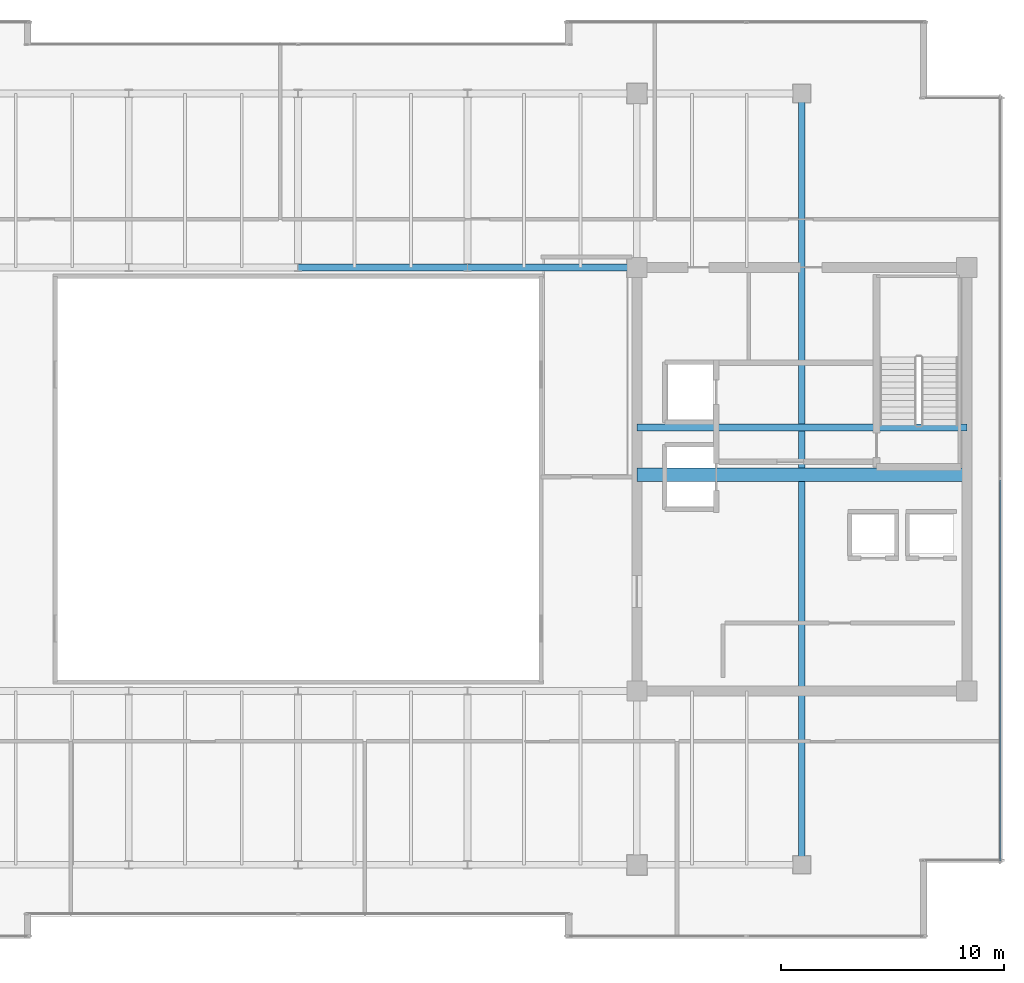
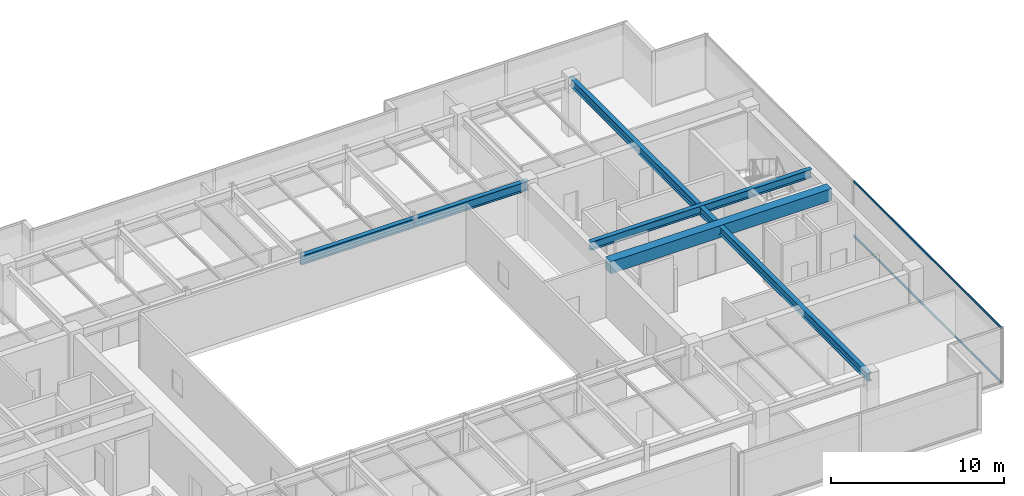
# One storey, part 16 of 34: 5 beams, 2 members, 1 element without a shape of its own.
"""IFC4 building model written with IfcOpenShell, lengths in metres."""

from ifc_helpers import new_model, si_unit, direction, frame, origin, origin_2d, place, context, subcontext, project, spatial, rectangle, hollow_rectangle, i_section, extrude, source, transform, mapped, material, layer, layer_set, material_profile, profile_set, type_object, type_shapes, element, aggregate, save


model = new_model("IFC4")

# Units and contexts
model_context = context("Model", 3, precision=1e-05, world=origin(), true_north=direction((0.0, 1.0)))
body_context = subcontext(model_context, "Body", "Model", "MODEL_VIEW")
ifc_project = project(units=[si_unit("LENGTHUNIT", "METRE"), si_unit("AREAUNIT", "SQUARE_METRE"), si_unit("VOLUMEUNIT", "CUBIC_METRE"), si_unit("PLANEANGLEUNIT", "RADIAN"), si_unit("MASSUNIT", "GRAM", prefix="KILO")], contexts=[model_context])

# Site, building, storey
site_placement = place(None, origin())
site = spatial("IfcSite", under=ifc_project, at=site_placement, CompositionType="ELEMENT")
building_placement = place(site_placement, origin())
building = spatial("IfcBuilding", under=site, at=building_placement, Name="Haelvirn Gate Laboratories", CompositionType="ELEMENT")
storey_placement = place(building_placement, frame((0.0, 0.0, 322.800048828125)))
storey = spatial("IfcBuildingStorey", under=building, at=storey_placement, Name="L77", CompositionType="ELEMENT", Elevation=322.800048828125)

# Beams
ifc_material_1 = material(Name="Steel SM355", Category="steel")
ifc_material_profile_1 = material_profile(ifc_material_1, i_section(OverallWidth=0.300048828125, OverallDepth=0.587890625, WebThickness=0.011962890625, FlangeThickness=0.02001953125, at=origin_2d()), Name="H-588x300x12x20")
ifc_profile_set_1 = profile_set([ifc_material_profile_1], Name="Steel SM355")
beam_type_1 = type_object("IfcBeamType", Name="BM-G-588", PredefinedType="BEAM", material=ifc_profile_set_1)
shared_shape_1 = source(origin(), body_context, "Body", "SweptSolid", [
    extrude(i_section(OverallWidth=0.300048828125, OverallDepth=0.587890625, WebThickness=0.011962890625, FlangeThickness=0.02001953125, at=origin_2d()), origin(), (0.0, 0.0, 1.0), 14.7998046875),
])
beam_1_placement = place(storey_placement, frame((52.60009765625, 26.6201171875, 3.6259765625), z_axis=(1.0, 0.0, 0.0), x_axis=(0.0, 1.0, 0.0)))
element("IfcBeam", 1, at=beam_1_placement, inside=storey, type_object=beam_type_1, Name="L77 Stair ST2 Landing Header", PredefinedType="BEAM", context=body_context, shape_type="MappedRepresentation", body=[
    mapped(shared_shape_1, transform((0.0, 0.0, 0.0), scale=1.0)),
])
shared_shape_2 = source(origin(), body_context, "Body", "SweptSolid", [
    extrude(i_section(OverallWidth=0.300048828125, OverallDepth=0.587890625, WebThickness=0.011962890625, FlangeThickness=0.02001953125, at=origin_2d()), origin(), (0.0, 0.0, 1.0), 34.60009765625),
])
type_shapes(beam_type_1, [shared_shape_1, shared_shape_2])
beam_2_placement = place(storey_placement, frame((60.0, 7.0, 3.6259765625), z_axis=(0.0, 1.0, 0.0), x_axis=(-1.0, 0.0, 0.0)))
element("IfcBeam", 2, at=beam_2_placement, inside=storey, type_object=beam_type_1, Name="L77 Frame Girder X60.0 (7.0-41.6)", PredefinedType="BEAM", context=body_context, shape_type="MappedRepresentation", body=[
    mapped(shared_shape_2, transform((0.0, 0.0, 0.0), scale=1.0)),
])
ifc_material_2 = material(Name="Concrete C50/60", Category="concrete")
ifc_material_profile_2 = material_profile(ifc_material_2, rectangle(XDim=0.60009765625, YDim=0.85009765625, at=origin_2d()), Name="RCB-600x850")
ifc_profile_set_2 = profile_set([ifc_material_profile_2], Name="Concrete C50/60")
beam_type_2 = type_object("IfcBeamType", Name="BM-RCB-850", PredefinedType="LINTEL", material=ifc_profile_set_2)
shared_shape_3 = source(origin(), body_context, "Body", "SweptSolid", [
    extrude(rectangle(XDim=0.60009765625, YDim=0.85009765625, at=origin_2d()), origin(), (0.0, 0.0, 1.0), 14.7998046875),
])
type_shapes(beam_type_2, [shared_shape_3])
beam_3_placement = place(storey_placement, frame((52.60009765625, 24.5, 3.494873046875), z_axis=(1.0, 0.0, 0.0), x_axis=(0.0, 1.0, 0.0)))
element("IfcBeam", 3, at=beam_3_placement, inside=storey, type_object=beam_type_2, Name="L77 East Core Coupling Beam", PredefinedType="LINTEL", context=body_context, shape_type="MappedRepresentation", body=[
    mapped(shared_shape_3, transform((0.0, 0.0, 0.0), scale=1.0)),
])
ifc_material_profile_3 = material_profile(ifc_material_1, i_section(OverallWidth=0.300048828125, OverallDepth=0.64990234375, WebThickness=0.012939453125, FlangeThickness=0.02197265625, at=origin_2d()), Name="H-650x300x13x22")
ifc_profile_set_3 = profile_set([ifc_material_profile_3], Name="Steel SM355")
beam_type_3 = type_object("IfcBeamType", Name="BM-G-650", PredefinedType="BEAM", material=ifc_profile_set_3)
shared_shape_4 = source(origin(), body_context, "Body", "SweptSolid", [
    extrude(i_section(OverallWidth=0.300048828125, OverallDepth=0.64990234375, WebThickness=0.012939453125, FlangeThickness=0.02197265625, at=origin_2d()), origin(), (0.0, 0.0, 1.0), 7.60009765625),
])
type_shapes(beam_type_3, [shared_shape_4])
for number, where, z_axis, x_axis, name in (
    (4, (37.39990234375, 33.800048828125, 3.594970703125), (1.0, 0.0, 0.0), (0.0, 1.0, 0.0), "L77 Primary Girder Y33.8 (37.4-45.0)"),
    (5, (45.0, 33.800048828125, 3.594970703125), (1.0, 0.0, 0.0), (0.0, 1.0, 0.0), "L77 Primary Girder Y33.8 (45.0-52.6)"),
):
    element("IfcBeam", number, at=place(storey_placement, frame(where, z_axis=z_axis, x_axis=x_axis)), inside=storey, type_object=beam_type_3, Name=name, PredefinedType="BEAM", context=body_context, shape_type="MappedRepresentation", body=[
        mapped(shared_shape_4, transform((0.0, 0.0, 0.0), scale=1.0)),
    ])

# Curtain wall, members
ifc_material_3 = material(Name="Anodised bronze unitised aluminium & triple low-E glass", Category="aluminium")
ifc_layer = layer(ifc_material_3, 0.176025390625, Name="CW-SYS-4")
ifc_layer_set = layer_set([ifc_layer], Name="Anodised bronze unitised aluminium & triple low-E glass")
curtain_wall_type = type_object("IfcCurtainWallType", Name="CW-SYS-4", PredefinedType="NOTDEFINED", material=ifc_layer_set)
curtain_wall_placement = place(storey_placement, origin())
curtain_wall = element("IfcCurtainWall", 6, at=curtain_wall_placement, inside=storey, type_object=curtain_wall_type, Name="L77 Unitised Curtain Wall CW-L77-P0-E07", PredefinedType="NOTDEFINED")
ifc_material_4 = material(Name="Extruded aluminium 6063-T6 (anodised bronze)", Category="aluminium")
ifc_material_profile_4 = material_profile(ifc_material_4, hollow_rectangle(XDim=0.06494140625, YDim=0.139892578125, WallThickness=0.00390625, at=origin_2d()), Name="CWT-140x65x4")
ifc_profile_set_4 = profile_set([ifc_material_profile_4], Name="Extruded aluminium 6063-T6 (anodised bronze)")
member_type = type_object("IfcMemberType", Name="CWT-T140", PredefinedType="USERDEFINED", material=ifc_profile_set_4)
shared_shape_5 = source(origin(), body_context, "Body", "SweptSolid", [
    extrude(hollow_rectangle(XDim=0.06494140625, YDim=0.139892578125, WallThickness=0.00390625, at=origin_2d()), origin(), (0.0, 0.0, 1.0), 17.094970703125),
])
type_shapes(member_type, [shared_shape_5])
member_1_placement = place(storey_placement, frame((68.89990234375, 7.169921875, 0.032470703125), z_axis=(0.0, 1.0, 0.0), x_axis=(-1.0, 0.0, 0.0)))
member_1 = element("IfcMember", 7, at=member_1_placement, type_object=member_type, Name="CW4 transom 1.1", ObjectType="TRANSOM", PredefinedType="USERDEFINED", context=body_context, shape_type="MappedRepresentation", body=[
    mapped(shared_shape_5, transform((0.0, 0.0, 0.0), scale=1.0)),
])
member_2_placement = place(storey_placement, frame((68.89990234375, 7.169921875, 3.887451171875), z_axis=(0.0, 1.0, 0.0), x_axis=(-1.0, 0.0, 0.0)))
member_2 = element("IfcMember", 8, at=member_2_placement, type_object=member_type, Name="CW4 transom 1.2", ObjectType="TRANSOM", PredefinedType="USERDEFINED", context=body_context, shape_type="MappedRepresentation", body=[
    mapped(shared_shape_5, transform((0.0, 0.0, 0.0), scale=1.0)),
])
aggregate(curtain_wall, [member_1, member_2])

save(model, "model.ifc")
